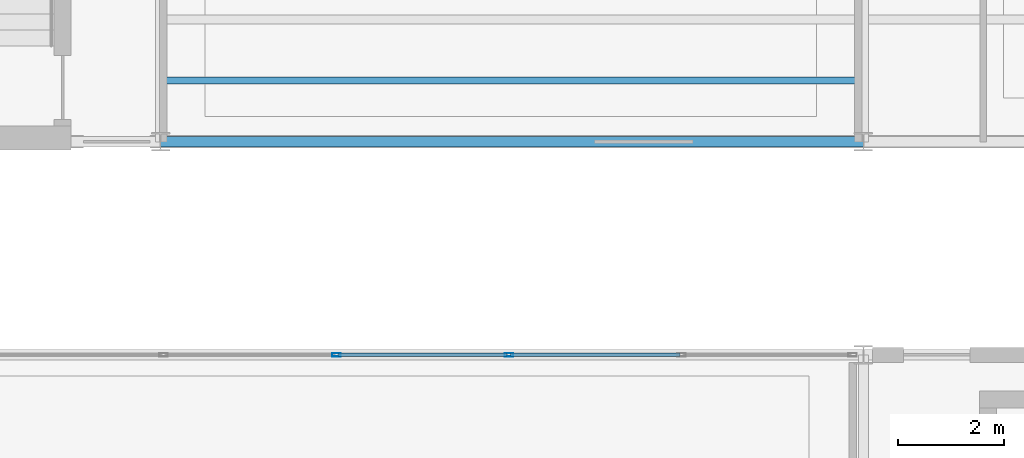
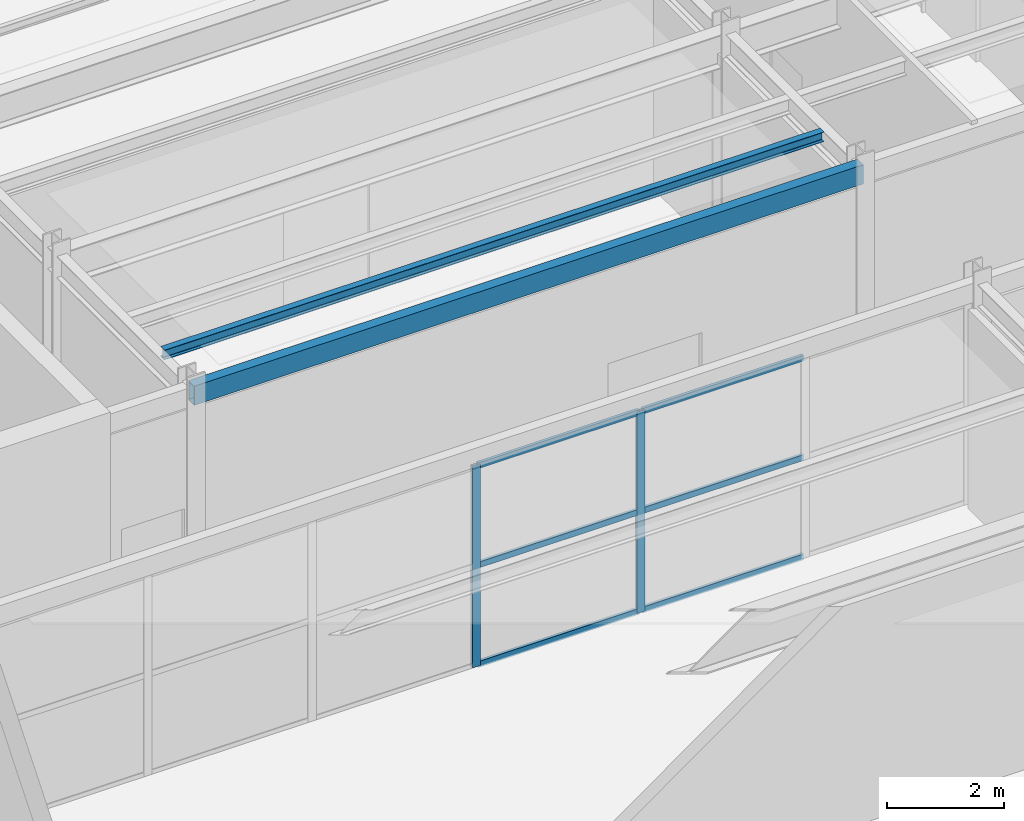
# One storey, part 21 of 144: 8 members, 2 beams, 1 element without a shape of its own.
"""IFC4 building model written with IfcOpenShell, lengths in metres."""

from ifc_helpers import new_model, si_unit, direction, frame, origin, origin_2d, place, context, subcontext, project, spatial, hollow_rectangle, i_section, extrude, material, material_profile, profile_set, type_object, element, aggregate, save


model = new_model("IFC4")

# Units and contexts
model_context = context("Model", 3, precision=1e-05, world=origin(), true_north=direction((0.0, 1.0)))
body_context = subcontext(model_context, "Body", "Model", "MODEL_VIEW")
ifc_project = project(units=[si_unit("LENGTHUNIT", "METRE"), si_unit("AREAUNIT", "SQUARE_METRE"), si_unit("VOLUMEUNIT", "CUBIC_METRE"), si_unit("PLANEANGLEUNIT", "RADIAN"), si_unit("MASSUNIT", "GRAM", prefix="KILO")], contexts=[model_context])

# Site, building, storey
site_placement = place(None, origin())
site = spatial("IfcSite", under=ifc_project, at=site_placement, CompositionType="ELEMENT")
building_placement = place(site_placement, origin())
building = spatial("IfcBuilding", under=site, at=building_placement, Name="Karori Crest Natural Sciences Institute", CompositionType="ELEMENT")
storey_placement = place(building_placement, origin())
storey = spatial("IfcBuildingStorey", under=building, at=storey_placement, Name="L00", CompositionType="ELEMENT", Elevation=0.0)

# Beams
ifc_material_1 = material(Name="Hollow structural steel AS/NZS 1163 Grade C350", Category="steel")
ifc_material_profile_1 = material_profile(ifc_material_1, hollow_rectangle(XDim=0.199951171875, YDim=0.39990234375, WallThickness=0.012451171875, at=origin_2d()), Name="RHS400x200x12.5")
ifc_profile_set_1 = profile_set([ifc_material_profile_1], Name="Hollow structural steel AS/NZS 1163 Grade C350")
beam_type_1 = type_object("IfcBeamType", Name="BT-14", PredefinedType="SPANDREL", material=ifc_profile_set_1)
beam_1_placement = place(storey_placement, frame((7.39990234375, 31.199951171875, 4.419921875), z_axis=(1.0, 0.0, 0.0), x_axis=(0.0, 1.0, 0.0)))
element("IfcBeam", 1, at=beam_1_placement, inside=storey, type_object=beam_type_1, Name="Beam B-0941", PredefinedType="SPANDREL", context=body_context, shape_type="SweptSolid", body=[
    extrude(hollow_rectangle(XDim=0.199951171875, YDim=0.39990234375, WallThickness=0.012451171875, at=origin_2d()), origin(), (0.0, 0.0, 1.0), 13.2001953125),
])
ifc_material_2 = material(Name="Structural steel AS/NZS 3679.1 Grade 350", Category="steel")
ifc_material_profile_2 = material_profile(ifc_material_2, i_section(OverallWidth=0.133056640625, OverallDepth=0.202880859375, WebThickness=0.005859375, FlangeThickness=0.0078125, FilletRadius=0.009033203125, at=origin_2d()), Name="200UB25.4")
ifc_profile_set_2 = profile_set([ifc_material_profile_2], Name="Structural steel AS/NZS 3679.1 Grade 350")
beam_type_2 = type_object("IfcBeamType", Name="BT-23", PredefinedType="LINTEL", material=ifc_profile_set_2)
beam_2_placement = place(storey_placement, frame((7.49560546875, 32.35009765625, 4.5185546875), z_axis=(1.0, 0.0, 0.0), x_axis=(0.0, 1.0, 0.0)))
element("IfcBeam", 2, at=beam_2_placement, inside=storey, type_object=beam_type_2, Name="Beam B-0994", PredefinedType="LINTEL", context=body_context, shape_type="SweptSolid", body=[
    extrude(i_section(OverallWidth=0.133056640625, OverallDepth=0.202880859375, WebThickness=0.005859375, FlangeThickness=0.0078125, FilletRadius=0.009033203125, at=origin_2d()), origin(), (0.0, 0.0, 1.0), 13.0087890625),
])

# Curtain wall, members
ifc_material_3 = material(Name="Anodised architectural aluminium 6063-T6", Category="aluminium")
curtain_wall_type = type_object("IfcCurtainWallType", Name="CWT-16", PredefinedType="NOTDEFINED", material=ifc_material_3)
curtain_wall_placement = place(storey_placement, origin())
curtain_wall = element("IfcCurtainWall", 3, at=curtain_wall_placement, inside=storey, type_object=curtain_wall_type, Name="Curtain wall CW-0251", PredefinedType="NOTDEFINED")
ifc_material_profile_3 = material_profile(ifc_material_3, hollow_rectangle(XDim=0.06494140625, YDim=0.159912109375, WallThickness=0.00390625, at=origin_2d()), Name="CWM160x65x4")
ifc_profile_set_3 = profile_set([ifc_material_profile_3], Name="Anodised architectural aluminium 6063-T6")
member_type_1 = type_object("IfcMemberType", Name="CWM-01", PredefinedType="MULLION", material=ifc_profile_set_3)
member_1_placement = place(storey_placement, frame((10.699951171875, 27.199951171875, 0.0), z_axis=(0.0, 0.0, 1.0), x_axis=(0.0, 1.0, 0.0)))
member_1 = element("IfcMember", 4, at=member_1_placement, type_object=member_type_1, Name="CW-0251 mullion 4", PredefinedType="MULLION", context=body_context, shape_type="SweptSolid", body=[
    extrude(hollow_rectangle(XDim=0.06494140625, YDim=0.159912109375, WallThickness=0.00390625, at=origin_2d()), origin(), (0.0, 0.0, 1.0), 4.205078125),
])
member_2_placement = place(storey_placement, frame((13.9423828125, 27.199951171875, 0.0), z_axis=(0.0, 0.0, 1.0), x_axis=(0.0, 1.0, 0.0)))
member_2 = element("IfcMember", 5, at=member_2_placement, type_object=member_type_1, Name="CW-0251 mullion 5", PredefinedType="MULLION", context=body_context, shape_type="SweptSolid", body=[
    extrude(hollow_rectangle(XDim=0.06494140625, YDim=0.159912109375, WallThickness=0.00390625, at=origin_2d()), origin(), (0.0, 0.0, 1.0), 4.205078125),
])
ifc_material_profile_4 = material_profile(ifc_material_3, hollow_rectangle(XDim=0.06005859375, YDim=0.1201171875, WallThickness=0.00390625, at=origin_2d()), Name="CWT120x60x4")
ifc_profile_set_4 = profile_set([ifc_material_profile_4], Name="Anodised architectural aluminium 6063-T6")
member_type_2 = type_object("IfcMemberType", Name="CWT-TR1", PredefinedType="USERDEFINED", material=ifc_profile_set_4)
member_3_placement = place(storey_placement, frame((10.732421875, 27.199951171875, 0.030029296875), z_axis=(1.0, 0.0, 0.0), x_axis=(0.0, 1.0, 0.0)))
member_3 = element("IfcMember", 6, at=member_3_placement, type_object=member_type_2, Name="CW-0251 transom 4.1", ObjectType="TRANSOM", PredefinedType="USERDEFINED", context=body_context, shape_type="SweptSolid", body=[
    extrude(hollow_rectangle(XDim=0.06005859375, YDim=0.1201171875, WallThickness=0.00390625, at=origin_2d()), origin(), (0.0, 0.0, 1.0), 3.177490234375),
])
member_4_placement = place(storey_placement, frame((10.732421875, 27.199951171875, 2.1025390625), z_axis=(1.0, 0.0, 0.0), x_axis=(0.0, 1.0, 0.0)))
member_4 = element("IfcMember", 7, at=member_4_placement, type_object=member_type_2, Name="CW-0251 transom 4.2", ObjectType="TRANSOM", PredefinedType="USERDEFINED", context=body_context, shape_type="SweptSolid", body=[
    extrude(hollow_rectangle(XDim=0.06005859375, YDim=0.1201171875, WallThickness=0.00390625, at=origin_2d()), origin(), (0.0, 0.0, 1.0), 3.177490234375),
])
member_5_placement = place(storey_placement, frame((10.732421875, 27.199951171875, 4.175048828125), z_axis=(1.0, 0.0, 0.0), x_axis=(0.0, 1.0, 0.0)))
member_5 = element("IfcMember", 8, at=member_5_placement, type_object=member_type_2, Name="CW-0251 transom 4.3", ObjectType="TRANSOM", PredefinedType="USERDEFINED", context=body_context, shape_type="SweptSolid", body=[
    extrude(hollow_rectangle(XDim=0.06005859375, YDim=0.1201171875, WallThickness=0.00390625, at=origin_2d()), origin(), (0.0, 0.0, 1.0), 3.177490234375),
])
member_6_placement = place(storey_placement, frame((13.974853515625, 27.199951171875, 0.030029296875), z_axis=(1.0, 0.0, 0.0), x_axis=(0.0, 1.0, 0.0)))
member_6 = element("IfcMember", 9, at=member_6_placement, type_object=member_type_2, Name="CW-0251 transom 5.1", ObjectType="TRANSOM", PredefinedType="USERDEFINED", context=body_context, shape_type="SweptSolid", body=[
    extrude(hollow_rectangle(XDim=0.06005859375, YDim=0.1201171875, WallThickness=0.00390625, at=origin_2d()), origin(), (0.0, 0.0, 1.0), 3.17724609375),
])
member_7_placement = place(storey_placement, frame((13.974853515625, 27.199951171875, 2.1025390625), z_axis=(1.0, 0.0, 0.0), x_axis=(0.0, 1.0, 0.0)))
member_7 = element("IfcMember", 10, at=member_7_placement, type_object=member_type_2, Name="CW-0251 transom 5.2", ObjectType="TRANSOM", PredefinedType="USERDEFINED", context=body_context, shape_type="SweptSolid", body=[
    extrude(hollow_rectangle(XDim=0.06005859375, YDim=0.1201171875, WallThickness=0.00390625, at=origin_2d()), origin(), (0.0, 0.0, 1.0), 3.17724609375),
])
member_8_placement = place(storey_placement, frame((13.974853515625, 27.199951171875, 4.175048828125), z_axis=(1.0, 0.0, 0.0), x_axis=(0.0, 1.0, 0.0)))
member_8 = element("IfcMember", 11, at=member_8_placement, type_object=member_type_2, Name="CW-0251 transom 5.3", ObjectType="TRANSOM", PredefinedType="USERDEFINED", context=body_context, shape_type="SweptSolid", body=[
    extrude(hollow_rectangle(XDim=0.06005859375, YDim=0.1201171875, WallThickness=0.00390625, at=origin_2d()), origin(), (0.0, 0.0, 1.0), 3.17724609375),
])
aggregate(curtain_wall, [member_1, member_2, member_3, member_4, member_5, member_6, member_7, member_8])

save(model, "model.ifc")
